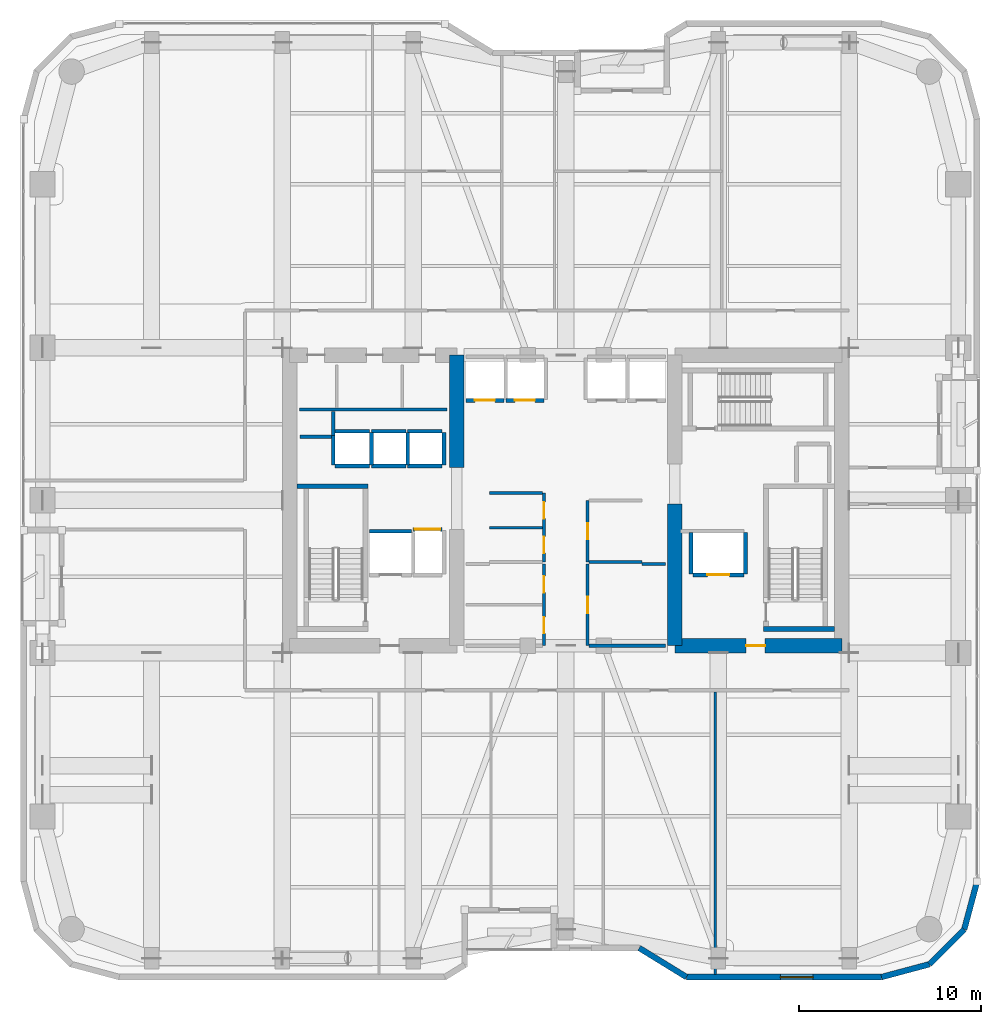
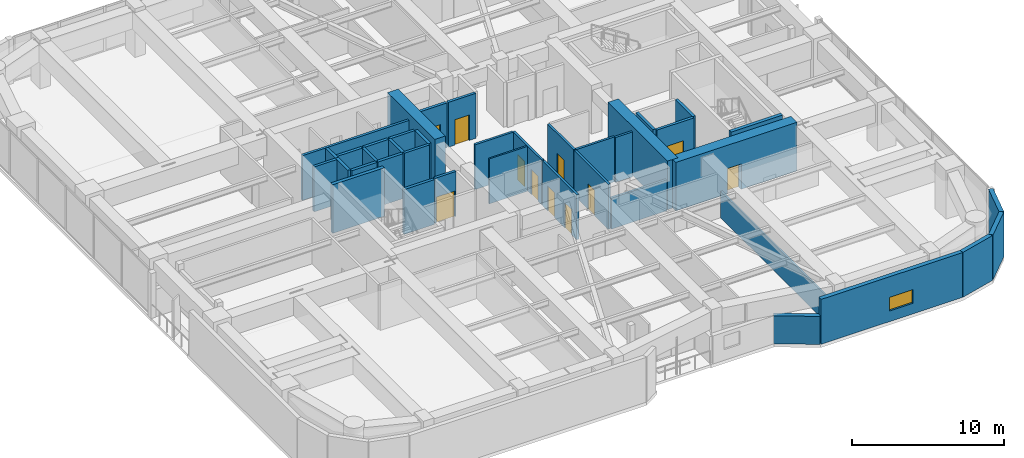
# One storey, part 20 of 25: 40 walls, 11 doors, 1 window, 12 openings.
"""IFC4 building model written with IfcOpenShell, lengths in metres."""

import ifcopenshell
import ifcopenshell.guid

model = None  # the IFC model being written
_history = None  # IfcOwnerHistory: only IFC2X3 demands one
_inside = {}  # id of a spatial element -> (the spatial element, [elements in it])
_under = {}  # id of a project, library or spatial element -> (it, [spatial elements below it])
_declared = {}  # id of a project -> (the project, [libraries it declares])
_typed = {}  # id of a type object -> (the type object, [elements of that type])
_made_of = {}  # id of a material, layer set ... -> (it, [elements and type objects made of it])


def new_model(schema):
    """Start an empty IFC model of exactly this schema.

    Asked for "IFC4X3", IfcOpenShell would pick the latest addendum, in which some entities
    have other attributes; the version numbers below select the first issue.
    IFC2X3 requires an IfcOwnerHistory on every rooted entity: one is made here for all.
    """
    global model, _history
    if schema == "IFC4X3":
        model = ifcopenshell.file(schema_version=(4, 3, 0, 0))
    else:
        model = ifcopenshell.file(schema=schema)
    _inside.clear()
    _under.clear()
    _declared.clear()
    _typed.clear()
    _made_of.clear()
    _history = None
    if model.schema == "IFC2X3":
        org = make("IfcOrganization", Name="unknown")
        user = make(
            "IfcPersonAndOrganization",
            ThePerson=make("IfcPerson", FamilyName="unknown"),
            TheOrganization=org,
        )
        app = make(
            "IfcApplication",
            ApplicationDeveloper=org,
            Version="unknown",
            ApplicationFullName="unknown",
            ApplicationIdentifier="unknown",
        )
        _history = make(
            "IfcOwnerHistory",
            OwningUser=user,
            OwningApplication=app,
            ChangeAction="ADDED",
            CreationDate=0,
        )
    return model


def make(cls, **values):
    """One entity of the class cls with the attributes given. An attribute that is None is left unset."""
    return model.create_entity(
        cls, **{name: value for name, value in values.items() if value is not None}
    )


def rooted(cls, **values):
    """An entity with a GlobalId (a new one), such as an element, a storey or a relation."""
    return make(cls, GlobalId=ifcopenshell.guid.new(), OwnerHistory=_history, **values)


def si_unit(unit_type, name, prefix=None):
    """IfcSIUnit, for example si_unit("LENGTHUNIT", "METRE", prefix="MILLI")."""
    return make("IfcSIUnit", UnitType=unit_type, Prefix=prefix, Name=name)


def assignment(units):
    """IfcUnitAssignment: the units of a project."""
    return None if units is None else make("IfcUnitAssignment", Units=units)


def point(xyz):
    """IfcCartesianPoint."""
    return None if xyz is None else make("IfcCartesianPoint", Coordinates=xyz)


def direction(xyz):
    """IfcDirection."""
    return None if xyz is None else make("IfcDirection", DirectionRatios=xyz)


def frame(location, z_axis=None, x_axis=None):
    """IfcAxis2Placement3D, a coordinate frame: its origin and axes. An axis left out is left unset."""
    return make(
        "IfcAxis2Placement3D",
        Location=point(location),
        Axis=direction(z_axis),
        RefDirection=direction(x_axis),
    )


def frame_2d(location, x_axis=None):
    """IfcAxis2Placement2D, a coordinate frame in the plane: its origin and x axis."""
    return make(
        "IfcAxis2Placement2D", Location=point(location), RefDirection=direction(x_axis)
    )


def origin():
    """The frame at (0, 0, 0) with its axes left unset."""
    return frame((0.0, 0.0, 0.0))


def place(relative_to, where):
    """IfcLocalPlacement: puts the frame where relative to a parent placement (None: the world)."""
    return make(
        "IfcLocalPlacement", PlacementRelTo=relative_to, RelativePlacement=where
    )


def context(
    kind, dimensions, precision=None, world=None, true_north=None, identifier=None
):
    """IfcGeometricRepresentationContext, for example the 3D "Model" context."""
    return make(
        "IfcGeometricRepresentationContext",
        ContextIdentifier=identifier,
        ContextType=kind,
        CoordinateSpaceDimension=dimensions,
        Precision=precision,
        WorldCoordinateSystem=world,
        TrueNorth=true_north,
    )


def subcontext(parent, identifier, kind, view, scale=None):
    """IfcGeometricRepresentationSubContext, for example "Body" below "Model"."""
    return make(
        "IfcGeometricRepresentationSubContext",
        ContextIdentifier=identifier,
        ContextType=kind,
        ParentContext=parent,
        TargetScale=scale,
        TargetView=view,
    )


def project(units=None, contexts=None):
    """IfcProject with its units and contexts."""
    return rooted(
        "IfcProject",
        Name="project",
        RepresentationContexts=contexts,
        UnitsInContext=assignment(units),
    )


def spatial(cls, under=None, at=None, **own):
    """A site, building, storey or space (cls), placed at a placement, below another one or the project."""
    s = rooted(cls, ObjectPlacement=at, **own)
    if under is not None:
        _under.setdefault(under.id(), (under, []))[1].append(s)
    return s


def profile(cls, at=None, kind="AREA", **sizes):
    """A parametric profile (cls). Its sizes go by their IFC names, for example OverallWidth=200.0."""
    return make(cls, ProfileType=kind, Position=at, **sizes)


def rectangle(**sizes):
    """IfcRectangleProfileDef."""
    return profile("IfcRectangleProfileDef", **sizes)


def extrude(swept, where, along, depth):
    """IfcExtrudedAreaSolid: the profile swept, set in the frame where, extruded along a direction by depth."""
    return make(
        "IfcExtrudedAreaSolid",
        SweptArea=swept,
        Position=where,
        ExtrudedDirection=direction(along),
        Depth=depth,
    )


def shape(context_of_items, identifier, shape_type, items):
    """IfcShapeRepresentation: the items that make up one representation, for example the "Body"."""
    return make(
        "IfcShapeRepresentation",
        ContextOfItems=context_of_items,
        RepresentationIdentifier=identifier,
        RepresentationType=shape_type,
        Items=items,
    )


def material(Name=None, Category=None):
    """IfcMaterial."""
    return make("IfcMaterial", Name=Name, Category=Category)


def layer(
    of_material, thickness, ventilated=None, Name=None, Category=None, Priority=None
):
    """IfcMaterialLayer: one layer of a wall or slab, of a material (None: an air gap)."""
    return make(
        "IfcMaterialLayer",
        Material=of_material,
        LayerThickness=thickness,
        IsVentilated=ventilated,
        Name=Name,
        Category=Category,
        Priority=Priority,
    )


def layer_set(layers, Name=None):
    """IfcMaterialLayerSet."""
    return make("IfcMaterialLayerSet", MaterialLayers=layers, LayerSetName=Name)


def made_of(thing, what):
    """Note that an element or type object is made of a material, layer set ...; save() writes the relation."""
    if what is not None:
        _made_of.setdefault(what.id(), (what, []))[1].append(thing)
    return thing


def type_object(cls, material=None, **own):
    """A type object (cls), such as IfcWallType, which elements share."""
    return made_of(rooted(cls, **own), material)


def element(
    cls,
    number,
    at=None,
    inside=None,
    cuts=None,
    type_object=None,
    material=None,
    context=None,
    identifier="Body",
    shape_type=None,
    held_by="IfcProductDefinitionShape",
    body=None,
    shapes=None,
    **own,
):
    """One element of the class cls, such as IfcWall. Its Tag is "e" and its number.

    at: its placement. inside: the storey or other place that contains it. cuts: it is an
    opening in that element (IfcRelVoidsElement). A single representation is given by context,
    identifier, shape_type and body (its items); several are given by shapes. held_by: the class
    of the entity that holds the representations. save() writes the other relations.
    """
    e = rooted(cls, Tag="e%d" % number, ObjectPlacement=at, **own)
    if body is not None:
        shapes = [shape(context, identifier, shape_type, body)]
    if shapes is not None:
        e.Representation = make(held_by, Representations=shapes)
    if inside is not None:
        _inside.setdefault(inside.id(), (inside, []))[1].append(e)
    if cuts is not None:
        rooted(
            "IfcRelVoidsElement", RelatingBuildingElement=cuts, RelatedOpeningElement=e
        )
    if type_object is not None:
        _typed.setdefault(type_object.id(), (type_object, []))[1].append(e)
    return made_of(e, material)


def fill(opening, filler):
    """IfcRelFillsElement: the door or window that sits in an opening."""
    return rooted(
        "IfcRelFillsElement",
        RelatingOpeningElement=opening,
        RelatedBuildingElement=filler,
    )


def aggregate(whole, parts):
    """IfcRelAggregates: a whole, such as a stair, and the parts it consists of."""
    return rooted("IfcRelAggregates", RelatingObject=whole, RelatedObjects=parts)


def save(model, path):
    """Write the relations noted so far, then the file.

    IfcRelAggregates (storeys below a building ...), IfcRelContainedInSpatialStructure (elements
    in a storey), IfcRelDefinesByType, IfcRelAssociatesMaterial and IfcRelDeclares: one each for
    every whole, place, type object, material and project.
    """
    for whole, parts in _under.values():
        aggregate(whole, parts)
    for where, things in _inside.values():
        rooted(
            "IfcRelContainedInSpatialStructure",
            RelatedElements=things,
            RelatingStructure=where,
        )
    for kind, things in _typed.values():
        rooted("IfcRelDefinesByType", RelatedObjects=things, RelatingType=kind)
    for what, things in _made_of.values():
        rooted("IfcRelAssociatesMaterial", RelatedObjects=things, RelatingMaterial=what)
    for by, libraries in _declared.values():
        rooted("IfcRelDeclares", RelatingContext=by, RelatedDefinitions=libraries)
    model.write(path)


model = new_model("IFC4")

# Units and contexts
model_context = context("Model", 3, precision=1e-05, world=origin(), true_north=direction((0.0, 1.0)))
body_context = subcontext(model_context, "Body", "Model", "MODEL_VIEW")
ifc_project = project(units=[si_unit("LENGTHUNIT", "METRE"), si_unit("AREAUNIT", "SQUARE_METRE"), si_unit("VOLUMEUNIT", "CUBIC_METRE"), si_unit("PLANEANGLEUNIT", "RADIAN"), si_unit("MASSUNIT", "GRAM", prefix="KILO")], contexts=[model_context])

# Site, building, storey
site_placement = place(None, origin())
site = spatial("IfcSite", under=ifc_project, at=site_placement, CompositionType="ELEMENT")
building_placement = place(site_placement, origin())
building = spatial("IfcBuilding", under=site, at=building_placement, Name="Kiyonajd Concourse Tower", CompositionType="ELEMENT")
storey_placement = place(building_placement, frame((0.0, 0.0, 141.60009765625)))
storey = spatial("IfcBuildingStorey", under=building, at=storey_placement, Name="L36", CompositionType="ELEMENT", Elevation=141.60009765625)

# Walls
ifc_material_1 = material(Name="Concrete C70/85", Category="concrete")
ifc_layer_1 = layer(ifc_material_1, 0.800048828125)
ifc_layer_set_1 = layer_set([ifc_layer_1], Name="Concrete C70/85")
wall_type_1 = type_object("IfcWallType", Name="WL-CORE-800", PredefinedType="SHEAR", material=ifc_layer_set_1)
wall_1_placement = place(storey_placement, frame((42.0, 37.800048828125, 0.0), z_axis=(0.0, 0.0, 1.0), x_axis=(0.0, 1.0, 0.0)))
element("IfcWall", 1, at=wall_1_placement, inside=storey, type_object=wall_type_1, Name="L36 West Core Inner North Shear Wall", PredefinedType="SHEAR", context=body_context, shape_type="SweptSolid", body=[
    extrude(rectangle(XDim=6.199951171875, YDim=0.800048828125, at=frame_2d((3.10009765625, 0.0))), origin(), (0.0, 0.0, 1.0), 3.89990234375),
])
wall_2_placement = place(storey_placement, frame((54.0, 28.0, 0.0), z_axis=(0.0, 0.0, 1.0), x_axis=(0.0, 1.0, 0.0)))
element("IfcWall", 2, at=wall_2_placement, inside=storey, type_object=wall_type_1, Name="L36 East Core Inner South Shear Wall", PredefinedType="SHEAR", context=body_context, shape_type="SweptSolid", body=[
    extrude(rectangle(XDim=7.800048828125, YDim=0.800048828125, at=frame_2d((3.89990234375, 0.0))), origin(), (0.0, 0.0, 1.0), 3.89990234375),
])

# Wall, opening, door
wall_3_placement = place(storey_placement, frame((54.0, 28.0, 0.0), z_axis=(0.0, 0.0, 1.0), x_axis=(1.0, 0.0, 0.0)))
wall_3 = element("IfcWall", 3, at=wall_3_placement, inside=storey, type_object=wall_type_1, Name="L36 East Core South Shear Wall", PredefinedType="SHEAR", context=body_context, shape_type="SweptSolid", body=[
    extrude(rectangle(XDim=9.199951171875, YDim=0.800048828125, at=frame_2d((4.60009765625, 0.0))), origin(), (0.0, 0.0, 1.0), 3.89990234375),
])
opening_1_placement = place(wall_3_placement, frame((3.925048828125, 0.0, 0.0)))
opening_1 = element("IfcOpeningElement", 4, at=opening_1_placement, cuts=wall_3, Name="Opening DF5", PredefinedType="OPENING", context=body_context, shape_type="SweptSolid", body=[
    extrude(rectangle(XDim=1.050048828125, YDim=2.0400390625, at=frame_2d((0.52490234375, 1.02001953125))), frame((0.0, 0.409912109375, 0.0), z_axis=(0.0, -1.0, 0.0), x_axis=(1.0, 0.0, 0.0)), (0.0, 0.0, 1.0), 0.820068359375),
])
ifc_material_2 = material(Name="Brushed Stainless Steel Cab Assembly", Category="steel")
door_type_1 = type_object("IfcDoorType", Name="DR-FD45-1050", OperationType="NOTDEFINED", PredefinedType="DOOR", material=ifc_material_2)
door_1_placement = place(opening_1_placement, origin())
door_1 = element("IfcDoor", 5, at=door_1_placement, inside=storey, type_object=door_type_1, Name="L36 Firefighting Lift Lobby E Smoke Door", OperationType="SINGLE_SWING_RIGHT", OverallHeight=2.0400390625, OverallWidth=1.050048828125, PredefinedType="DOOR", context=body_context, shape_type="SweptSolid", body=[
    extrude(rectangle(XDim=1.050048828125, YDim=2.0400390625, at=frame_2d((0.52490234375, 1.02001953125))), frame((0.0, 0.02490234375, 0.0), z_axis=(0.0, -1.0, 0.0), x_axis=(1.0, 0.0, 0.0)), (0.0, 0.0, 1.0), 0.050048828125),
])
fill(opening_1, door_1)

# Walls
ifc_material_3 = material(Name="Precast concrete C50/60", Category="concrete")
ifc_layer_2 = layer(ifc_material_3, 0.320068359375)
ifc_layer_set_2 = layer_set([ifc_layer_2], Name="Precast concrete C50/60")
wall_type_2 = type_object("IfcWallType", Name="WL-EXT-320", PredefinedType="SOLIDWALL", material=ifc_layer_set_2)
wall_4_placement = place(storey_placement, frame((70.639892578125, 15.02099609375, 0.0), z_axis=(0.0, 0.0, 1.0), x_axis=(-0.258613949072, -0.965980758269, 0.0)))
element("IfcWall", 6, at=wall_4_placement, inside=storey, type_object=wall_type_2, Name="L36 Exterior Concrete Frame Wall 25", PredefinedType="SOLIDWALL", context=body_context, shape_type="SweptSolid", body=[
    extrude(rectangle(XDim=2.731201171875, YDim=0.320068359375, at=frame_2d((1.36572265625, 0.0))), origin(), (0.0, 0.0, 1.0), 3.599853515625),
])
wall_5_placement = place(storey_placement, frame((69.93359375, 12.3828125, 0.0), z_axis=(0.0, 0.0, 1.0), x_axis=(-0.707151821269, -0.707061738235, 0.0)))
element("IfcWall", 7, at=wall_5_placement, inside=storey, type_object=wall_type_2, Name="L36 Exterior Concrete Frame Wall 26", PredefinedType="SOLIDWALL", context=body_context, shape_type="SweptSolid", body=[
    extrude(rectangle(XDim=2.710205078125, YDim=0.320068359375, at=frame_2d((1.35498046875, 0.0))), origin(), (0.0, 0.0, 1.0), 3.599853515625),
])
wall_6_placement = place(storey_placement, frame((68.01708984375, 10.466552734375, 0.0), z_axis=(0.0, 0.0, 1.0), x_axis=(-0.965958423373, -0.25869736047, 0.0)))
element("IfcWall", 8, at=wall_6_placement, inside=storey, type_object=wall_type_2, Name="L36 Exterior Concrete Frame Wall 27", PredefinedType="SOLIDWALL", context=body_context, shape_type="SweptSolid", body=[
    extrude(rectangle(XDim=2.731201171875, YDim=0.320068359375, at=frame_2d((1.36572265625, 0.0))), origin(), (0.0, 0.0, 1.0), 3.599853515625),
])

# Wall, opening, window
wall_7_placement = place(storey_placement, frame((65.37890625, 9.760009765625, 0.0), z_axis=(0.0, 0.0, 1.0), x_axis=(-1.0, 0.0, 0.0)))
wall_7 = element("IfcWall", 9, at=wall_7_placement, inside=storey, type_object=wall_type_2, Name="L36 Exterior Concrete Frame Wall 28", PredefinedType="SOLIDWALL", context=body_context, shape_type="SweptSolid", body=[
    extrude(rectangle(XDim=10.733642578125, YDim=0.320068359375, at=frame_2d((5.36669921875, 0.0))), origin(), (0.0, 0.0, 1.0), 3.599853515625),
])
opening_2_placement = place(wall_7_placement, frame((3.76904296875, 0.0, 0.85009765625)))
opening_2 = element("IfcOpeningElement", 10, at=opening_2_placement, cuts=wall_7, Name="Opening WN1", PredefinedType="OPENING", context=body_context, shape_type="SweptSolid", body=[
    extrude(rectangle(XDim=1.800048828125, YDim=1.10009765625, at=frame_2d((0.89990234375, 0.550048828125))), frame((0.0, 0.169921875, 0.0), z_axis=(0.0, -1.0, 0.0), x_axis=(1.0, 0.0, 0.0)), (0.0, 0.0, 1.0), 0.340087890625),
])
ifc_material_4 = material(Name="Double Low-E Insulated Glass", Category="glass")
window_type = type_object("IfcWindowType", Name="WN-VIS-1800x1100", PartitioningType="SINGLE_PANEL", PredefinedType="WINDOW", material=ifc_material_4)
window_placement = place(opening_2_placement, origin())
window = element("IfcWindow", 11, at=window_placement, inside=storey, type_object=window_type, Name="L36 Modular Facade Vision Window 28", OverallHeight=1.10009765625, OverallWidth=1.800048828125, PartitioningType="SINGLE_PANEL", PredefinedType="WINDOW", context=body_context, shape_type="SweptSolid", body=[
    extrude(rectangle(XDim=1.800048828125, YDim=1.10009765625, at=frame_2d((0.89990234375, 0.550048828125))), frame((0.0, 0.030029296875, 0.0), z_axis=(0.0, -1.0, 0.0), x_axis=(1.0, 0.0, 0.0)), (0.0, 0.0, 1.0), 0.06005859375),
])
fill(opening_2, window)

# Walls
wall_8_placement = place(storey_placement, frame((54.645263671875, 9.760009765625, 0.0), z_axis=(0.0, 0.0, 1.0), x_axis=(-0.851630857047, 0.524142044989, 0.0)))
element("IfcWall", 12, at=wall_8_placement, inside=storey, type_object=wall_type_2, Name="L36 Exterior Concrete Frame Wall 29", PredefinedType="SOLIDWALL", context=body_context, shape_type="SweptSolid", body=[
    extrude(rectangle(XDim=3.052734375, YDim=0.320068359375, at=frame_2d((1.5263671875, 0.0))), origin(), (0.0, 0.0, 1.0), 2.244873046875),
])
ifc_material_5 = material(Name="Gypsum Board on Cold-Formed Steel Stud", Category="steel")
ifc_layer_3 = layer(ifc_material_5, 0.125)
ifc_layer_set_3 = layer_set([ifc_layer_3], Name="Gypsum Board on Cold-Formed Steel Stud")
wall_type_3 = type_object("IfcWallType", Name="WL-PART-125", PredefinedType="PARTITIONING", material=ifc_layer_set_3)
wall_9_placement = place(storey_placement, frame((43.800048828125, 34.5, 0.0), z_axis=(0.0, 0.0, 1.0), x_axis=(1.0, 0.0, 0.0)))
element("IfcWall", 13, at=wall_9_placement, inside=storey, type_object=wall_type_3, Name="L36 Interior Partition Wall", PredefinedType="PARTITIONING", context=body_context, shape_type="SweptSolid", body=[
    extrude(rectangle(XDim=2.912841796875, YDim=0.125, at=frame_2d((1.45654296875, 0.0))), origin(), (0.0, 0.0, 1.0), 3.599853515625),
])
wall_10_placement = place(storey_placement, frame((56.22998046875, 9.9150390625, 0.0), z_axis=(0.0, 0.0, 1.0), x_axis=(0.0, 1.0, 0.0)))
element("IfcWall", 14, at=wall_10_placement, inside=storey, type_object=wall_type_3, Name="L36 Interior Partition Wall", PredefinedType="PARTITIONING", context=body_context, shape_type="SweptSolid", body=[
    extrude(rectangle(XDim=15.5478515625, YDim=0.125, at=frame_2d((7.77392578125, 0.0))), origin(), (0.0, 0.0, 1.0), 2.135009765625),
])
ifc_layer_4 = layer(ifc_material_5, 0.18994140625)
ifc_layer_set_4 = layer_set([ifc_layer_4], Name="Gypsum Board on Cold-Formed Steel Stud")
wall_type_4 = type_object("IfcWallType", Name="WL-PLMB-190", PredefinedType="PLUMBINGWALL", material=ifc_layer_set_4)
wall_11_placement = place(storey_placement, frame((33.35009765625, 41.0, 0.0), z_axis=(0.0, 0.0, 1.0), x_axis=(1.0, 0.0, 0.0)))
element("IfcWall", 15, at=wall_11_placement, inside=storey, type_object=wall_type_4, Name="L36 Interior Partition Wall", PredefinedType="PLUMBINGWALL", context=body_context, shape_type="SweptSolid", body=[
    extrude(rectangle(XDim=8.099853515625, YDim=0.18994140625, at=frame_2d((4.0498046875, 0.0))), origin(), (0.0, 0.0, 1.0), 3.599853515625),
])
ifc_layer_5 = layer(ifc_material_5, 0.2099609375)
ifc_layer_set_5 = layer_set([ifc_layer_5], Name="Gypsum Board on Cold-Formed Steel Stud")
wall_type_5 = type_object("IfcWallType", Name="WL-SHAFT-210", PredefinedType="PARTITIONING", material=ifc_layer_set_5)
wall_12_placement = place(storey_placement, frame((33.360107421875, 39.5, 0.0), z_axis=(0.0, 0.0, 1.0), x_axis=(1.0, 0.0, 0.0)))
element("IfcWall", 16, at=wall_12_placement, inside=storey, type_object=wall_type_5, Name="L36 Shaft Enclosure Wall", PredefinedType="PARTITIONING", context=body_context, shape_type="SweptSolid", body=[
    extrude(rectangle(XDim=1.85986328125, YDim=0.2099609375, at=frame_2d((0.929931640625, 0.0))), origin(), (0.0, 0.0, 1.0), 3.599853515625),
])
wall_13_placement = place(storey_placement, frame((35.199951171875, 39.580078125, 0.0), z_axis=(0.0, 0.0, 1.0), x_axis=(0.0, 1.0, 0.0)))
element("IfcWall", 17, at=wall_13_placement, inside=storey, type_object=wall_type_5, Name="L36 Shaft Enclosure Wall", PredefinedType="PARTITIONING", context=body_context, shape_type="SweptSolid", body=[
    extrude(rectangle(XDim=1.31982421875, YDim=0.2099609375, at=frame_2d((0.659912109375, 0.0))), origin(), (0.0, 0.0, 1.0), 3.599853515625),
])
wall_14_placement = place(storey_placement, frame((37.199951171875, 34.300048828125, 0.0), z_axis=(0.0, 0.0, 1.0), x_axis=(1.0, 0.0, 0.0)))
element("IfcWall", 18, at=wall_14_placement, inside=storey, type_object=wall_type_5, Name="L36 Shaft Enclosure Wall", PredefinedType="PARTITIONING", context=body_context, shape_type="SweptSolid", body=[
    extrude(rectangle(XDim=2.300048828125, YDim=0.2099609375, at=frame_2d((1.14990234375, 0.0))), origin(), (0.0, 0.0, 1.0), 3.599853515625),
])

# Wall, opening, door
wall_15_placement = place(storey_placement, frame((55.0, 31.89990234375, 0.0), z_axis=(0.0, 0.0, 1.0), x_axis=(1.0, 0.0, 0.0)))
wall_15 = element("IfcWall", 19, at=wall_15_placement, inside=storey, type_object=wall_type_5, Name="L36 Shaft Enclosure Wall", PredefinedType="PARTITIONING", context=body_context, shape_type="SweptSolid", body=[
    extrude(rectangle(XDim=2.800048828125, YDim=0.2099609375, at=frame_2d((1.39990234375, 0.0))), origin(), (0.0, 0.0, 1.0), 3.599853515625),
])
opening_3_placement = place(wall_15_placement, frame((0.800048828125, 0.0, 0.0)))
opening_3 = element("IfcOpeningElement", 20, at=opening_3_placement, cuts=wall_15, Name="Opening LD2", PredefinedType="OPENING", context=body_context, shape_type="SweptSolid", body=[
    extrude(rectangle(XDim=1.199951171875, YDim=2.0400390625, at=frame_2d((0.60009765625, 1.02001953125))), frame((0.0, 0.114990234375, 0.0), z_axis=(0.0, -1.0, 0.0), x_axis=(1.0, 0.0, 0.0)), (0.0, 0.0, 1.0), 0.22998046875),
])
door_type_2 = type_object("IfcDoorType", Name="DR-LD-1200", OperationType="DOUBLE_DOOR_SLIDING", PredefinedType="DOOR", material=ifc_material_2)
door_2_placement = place(opening_3_placement, origin())
door_2 = element("IfcDoor", 21, at=door_2_placement, inside=storey, type_object=door_type_2, Name="L36 Lift FFL2 Sliding Landing Door", OperationType="DOUBLE_DOOR_SLIDING", OverallHeight=2.0400390625, OverallWidth=1.199951171875, PredefinedType="DOOR", context=body_context, shape_type="SweptSolid", body=[
    extrude(rectangle(XDim=1.199951171875, YDim=2.0400390625, at=frame_2d((0.60009765625, 1.02001953125))), frame((0.0, 0.02490234375, 0.0), z_axis=(0.0, -1.0, 0.0), x_axis=(1.0, 0.0, 0.0)), (0.0, 0.0, 1.0), 0.050048828125),
])
fill(opening_3, door_2)

# Walls
for number, where, z_axis, x_axis, name in (
    (22, (54.89990234375, 31.9599609375, 0.0), (0.0, 0.0, 1.0), (0.0, 1.0, 0.0), "L36 Shaft Enclosure Wall"),
    (23, (57.89990234375, 31.9599609375, 0.0), (0.0, 0.0, 1.0), (0.0, 1.0, 0.0), "L36 Shaft Enclosure Wall"),
):
    element("IfcWall", number, at=place(storey_placement, frame(where, z_axis=z_axis, x_axis=x_axis)), inside=storey, type_object=wall_type_5, Name=name, PredefinedType="PARTITIONING", context=body_context, shape_type="SweptSolid", body=[
        extrude(rectangle(XDim=2.280029296875, YDim=0.2099609375, at=frame_2d((1.14013671875, 0.0))), origin(), (0.0, 0.0, 1.0), 3.599853515625),
    ])

# Wall, opening, door
wall_16_placement = place(storey_placement, frame((39.60009765625, 34.39990234375, 0.0), z_axis=(0.0, 0.0, 1.0), x_axis=(1.0, 0.0, 0.0)))
wall_16 = element("IfcWall", 24, at=wall_16_placement, inside=storey, type_object=wall_type_5, Name="L36 Shaft Enclosure Wall", PredefinedType="PARTITIONING", context=body_context, shape_type="SweptSolid", body=[
    extrude(rectangle(XDim=1.599853515625, YDim=0.2099609375, at=frame_2d((0.7998046875, 0.0))), origin(), (0.0, 0.0, 1.0), 3.599853515625),
])
opening_4_placement = place(wall_16_placement, frame((0.10009765625, 0.0, 0.0)))
opening_4 = element("IfcOpeningElement", 25, at=opening_4_placement, cuts=wall_16, Name="Opening LD3", PredefinedType="OPENING", context=body_context, shape_type="SweptSolid", body=[
    extrude(rectangle(XDim=1.39990234375, YDim=2.06005859375, at=frame_2d((0.699951171875, 1.030029296875))), frame((0.0, 0.114990234375, 0.0), z_axis=(0.0, -1.0, 0.0), x_axis=(1.0, 0.0, 0.0)), (0.0, 0.0, 1.0), 0.22998046875),
])
door_type_3 = type_object("IfcDoorType", Name="DR-LD-1400", OperationType="DOUBLE_DOOR_SLIDING", PredefinedType="DOOR", material=ifc_material_2)
door_3_placement = place(opening_4_placement, origin())
door_3 = element("IfcDoor", 26, at=door_3_placement, inside=storey, type_object=door_type_3, Name="L36 Lift SVL1 Sliding Landing Door", OperationType="DOUBLE_DOOR_SLIDING", OverallHeight=2.06005859375, OverallWidth=1.39990234375, PredefinedType="DOOR", context=body_context, shape_type="SweptSolid", body=[
    extrude(rectangle(XDim=1.39990234375, YDim=2.06005859375, at=frame_2d((0.699951171875, 1.030029296875))), frame((0.0, 0.02490234375, 0.0), z_axis=(0.0, -1.0, 0.0), x_axis=(1.0, 0.0, 0.0)), (0.0, 0.0, 1.0), 0.050048828125),
])
fill(opening_4, door_3)

wall_17_placement = place(storey_placement, frame((42.5, 41.5, 0.0), z_axis=(0.0, 0.0, 1.0), x_axis=(1.0, 0.0, 0.0)))
wall_17 = element("IfcWall", 27, at=wall_17_placement, inside=storey, type_object=wall_type_5, Name="L36 Shaft Enclosure Wall", PredefinedType="PARTITIONING", context=body_context, shape_type="SweptSolid", body=[
    extrude(rectangle(XDim=2.10009765625, YDim=0.2099609375, at=frame_2d((1.050048828125, 0.0))), origin(), (0.0, 0.0, 1.0), 3.599853515625),
])
opening_5_placement = place(wall_17_placement, frame((0.5, 0.0, 0.0)))
opening_5 = element("IfcOpeningElement", 28, at=opening_5_placement, cuts=wall_17, Name="Opening LD1", PredefinedType="OPENING", context=body_context, shape_type="SweptSolid", body=[
    extrude(rectangle(XDim=1.10009765625, YDim=2.0400390625, at=frame_2d((0.550048828125, 1.02001953125))), frame((0.0, 0.114990234375, 0.0), z_axis=(0.0, -1.0, 0.0), x_axis=(1.0, 0.0, 0.0)), (0.0, 0.0, 1.0), 0.22998046875),
])
door_type_4 = type_object("IfcDoorType", Name="DR-LD-1100", OperationType="DOUBLE_DOOR_SLIDING", PredefinedType="DOOR", material=ifc_material_2)
door_4_placement = place(opening_5_placement, origin())
door_4 = element("IfcDoor", 29, at=door_4_placement, inside=storey, type_object=door_type_4, Name="L36 Lift PL-M1 Sliding Landing Door", OperationType="DOUBLE_DOOR_SLIDING", OverallHeight=2.0400390625, OverallWidth=1.10009765625, PredefinedType="DOOR", context=body_context, shape_type="SweptSolid", body=[
    extrude(rectangle(XDim=1.10009765625, YDim=2.0400390625, at=frame_2d((0.550048828125, 1.02001953125))), frame((0.0, 0.02490234375, 0.0), z_axis=(0.0, -1.0, 0.0), x_axis=(1.0, 0.0, 0.0)), (0.0, 0.0, 1.0), 0.050048828125),
])
fill(opening_5, door_4)

wall_18_placement = place(storey_placement, frame((44.699951171875, 41.5, 0.0), z_axis=(0.0, 0.0, 1.0), x_axis=(1.0, 0.0, 0.0)))
wall_18 = element("IfcWall", 30, at=wall_18_placement, inside=storey, type_object=wall_type_5, Name="L36 Shaft Enclosure Wall", PredefinedType="PARTITIONING", context=body_context, shape_type="SweptSolid", body=[
    extrude(rectangle(XDim=2.10009765625, YDim=0.2099609375, at=frame_2d((1.050048828125, 0.0))), origin(), (0.0, 0.0, 1.0), 3.599853515625),
])
opening_6_placement = place(wall_18_placement, frame((0.5, 0.0, 0.0)))
opening_6 = element("IfcOpeningElement", 31, at=opening_6_placement, cuts=wall_18, Name="Opening LD1", PredefinedType="OPENING", context=body_context, shape_type="SweptSolid", body=[
    extrude(rectangle(XDim=1.10009765625, YDim=2.0400390625, at=frame_2d((0.550048828125, 1.02001953125))), frame((0.0, 0.114990234375, 0.0), z_axis=(0.0, -1.0, 0.0), x_axis=(1.0, 0.0, 0.0)), (0.0, 0.0, 1.0), 0.22998046875),
])
door_5_placement = place(opening_6_placement, origin())
door_5 = element("IfcDoor", 32, at=door_5_placement, inside=storey, type_object=door_type_4, Name="L36 Lift PL-M2 Sliding Landing Door", OperationType="DOUBLE_DOOR_SLIDING", OverallHeight=2.0400390625, OverallWidth=1.10009765625, PredefinedType="DOOR", context=body_context, shape_type="SweptSolid", body=[
    extrude(rectangle(XDim=1.10009765625, YDim=2.0400390625, at=frame_2d((0.550048828125, 1.02001953125))), frame((0.0, 0.02490234375, 0.0), z_axis=(0.0, -1.0, 0.0), x_axis=(1.0, 0.0, 0.0)), (0.0, 0.0, 1.0), 0.050048828125),
])
fill(opening_6, door_5)

# Walls
for number, where, z_axis, x_axis, name in (
    (33, (35.300048828125, 37.89990234375, 0.0), (0.0, 0.0, 1.0), (1.0, 0.0, 0.0), "L36 Shaft Enclosure Wall"),
    (34, (35.300048828125, 39.800048828125, 0.0), (0.0, 0.0, 1.0), (1.0, 0.0, 0.0), "L36 Shaft Enclosure Wall"),
):
    element("IfcWall", number, at=place(storey_placement, frame(where, z_axis=z_axis, x_axis=x_axis)), inside=storey, type_object=wall_type_5, Name=name, PredefinedType="PARTITIONING", context=body_context, shape_type="SweptSolid", body=[
        extrude(rectangle(XDim=1.89990234375, YDim=0.2099609375, at=frame_2d((0.949951171875, 0.0))), origin(), (0.0, 0.0, 1.0), 3.599853515625),
    ])
wall_19_placement = place(storey_placement, frame((35.199951171875, 37.9599609375, 0.0), z_axis=(0.0, 0.0, 1.0), x_axis=(0.0, 1.0, 0.0)))
element("IfcWall", 35, at=wall_19_placement, inside=storey, type_object=wall_type_5, Name="L36 Shaft Enclosure Wall", PredefinedType="PARTITIONING", context=body_context, shape_type="SweptSolid", body=[
    extrude(rectangle(XDim=1.6201171875, YDim=0.2099609375, at=frame_2d((0.81005859375, 0.0))), origin(), (0.0, 0.0, 1.0), 3.599853515625),
])
wall_20_placement = place(storey_placement, frame((37.300048828125, 37.9599609375, 0.0), z_axis=(0.0, 0.0, 1.0), x_axis=(0.0, 1.0, 0.0)))
element("IfcWall", 36, at=wall_20_placement, inside=storey, type_object=wall_type_5, Name="L36 Shaft Enclosure Wall", PredefinedType="PARTITIONING", context=body_context, shape_type="SweptSolid", body=[
    extrude(rectangle(XDim=1.780029296875, YDim=0.2099609375, at=frame_2d((0.89013671875, 0.0))), origin(), (0.0, 0.0, 1.0), 3.599853515625),
])
for number, where, z_axis, x_axis, name in (
    (37, (37.300048828125, 37.89990234375, 0.0), (0.0, 0.0, 1.0), (1.0, 0.0, 0.0), "L36 Shaft Enclosure Wall"),
    (38, (37.300048828125, 39.800048828125, 0.0), (0.0, 0.0, 1.0), (1.0, 0.0, 0.0), "L36 Shaft Enclosure Wall"),
):
    element("IfcWall", number, at=place(storey_placement, frame(where, z_axis=z_axis, x_axis=x_axis)), inside=storey, type_object=wall_type_5, Name=name, PredefinedType="PARTITIONING", context=body_context, shape_type="SweptSolid", body=[
        extrude(rectangle(XDim=1.89990234375, YDim=0.2099609375, at=frame_2d((0.949951171875, 0.0))), origin(), (0.0, 0.0, 1.0), 3.599853515625),
    ])
wall_21_placement = place(storey_placement, frame((39.300048828125, 37.9599609375, 0.0), z_axis=(0.0, 0.0, 1.0), x_axis=(0.0, 1.0, 0.0)))
element("IfcWall", 39, at=wall_21_placement, inside=storey, type_object=wall_type_5, Name="L36 Shaft Enclosure Wall", PredefinedType="PARTITIONING", context=body_context, shape_type="SweptSolid", body=[
    extrude(rectangle(XDim=1.780029296875, YDim=0.2099609375, at=frame_2d((0.89013671875, 0.0))), origin(), (0.0, 0.0, 1.0), 3.599853515625),
])
for number, where, z_axis, x_axis, name in (
    (40, (39.300048828125, 37.89990234375, 0.0), (0.0, 0.0, 1.0), (1.0, 0.0, 0.0), "L36 Shaft Enclosure Wall"),
    (41, (39.300048828125, 39.800048828125, 0.0), (0.0, 0.0, 1.0), (1.0, 0.0, 0.0), "L36 Shaft Enclosure Wall"),
):
    element("IfcWall", number, at=place(storey_placement, frame(where, z_axis=z_axis, x_axis=x_axis)), inside=storey, type_object=wall_type_5, Name=name, PredefinedType="PARTITIONING", context=body_context, shape_type="SweptSolid", body=[
        extrude(rectangle(XDim=1.89990234375, YDim=0.2099609375, at=frame_2d((0.949951171875, 0.0))), origin(), (0.0, 0.0, 1.0), 3.599853515625),
    ])
wall_22_placement = place(storey_placement, frame((41.300048828125, 37.9599609375, 0.0), z_axis=(0.0, 0.0, 1.0), x_axis=(0.0, 1.0, 0.0)))
element("IfcWall", 42, at=wall_22_placement, inside=storey, type_object=wall_type_5, Name="L36 Shaft Enclosure Wall", PredefinedType="PARTITIONING", context=body_context, shape_type="SweptSolid", body=[
    extrude(rectangle(XDim=1.780029296875, YDim=0.2099609375, at=frame_2d((0.89013671875, 0.0))), origin(), (0.0, 0.0, 1.0), 3.599853515625),
])

# Wall, openings, doors
ifc_layer_6 = layer(ifc_material_5, 0.169921875)
ifc_layer_set_6 = layer_set([ifc_layer_6], Name="Gypsum Board on Cold-Formed Steel Stud")
wall_type_6 = type_object("IfcWallType", Name="WL-SMK-170", PredefinedType="PARTITIONING", material=ifc_layer_set_6)
wall_23_placement = place(storey_placement, frame((46.800048828125, 32.60009765625, 0.0), z_axis=(0.0, 0.0, 1.0), x_axis=(0.0, 1.0, 0.0)))
wall_23 = element("IfcWall", 43, at=wall_23_placement, inside=storey, type_object=wall_type_6, Name="L36 Interior Partition Wall", PredefinedType="PARTITIONING", context=body_context, shape_type="SweptSolid", body=[
    extrude(rectangle(XDim=3.7998046875, YDim=0.169921875, at=frame_2d((1.89990234375, 0.0))), origin(), (0.0, 0.0, 1.0), 3.599853515625),
])
opening_7_placement = place(wall_23_placement, frame((0.5, 0.0, 0.0)))
opening_7 = element("IfcOpeningElement", 44, at=opening_7_placement, cuts=wall_23, Name="Opening DI2", PredefinedType="OPENING", context=body_context, shape_type="SweptSolid", body=[
    extrude(rectangle(XDim=0.89990234375, YDim=2.02001953125, at=frame_2d((0.449951171875, 1.010009765625))), frame((0.0, 0.094970703125, 0.0), z_axis=(0.0, -1.0, 0.0), x_axis=(1.0, 0.0, 0.0)), (0.0, 0.0, 1.0), 0.18994140625),
])
opening_8_placement = place(wall_23_placement, frame((2.39990234375, 0.0, 0.0)))
opening_8 = element("IfcOpeningElement", 45, at=opening_8_placement, cuts=wall_23, Name="Opening DI2", PredefinedType="OPENING", context=body_context, shape_type="SweptSolid", body=[
    extrude(rectangle(XDim=0.89990234375, YDim=2.02001953125, at=frame_2d((0.449951171875, 1.010009765625))), frame((0.0, 0.094970703125, 0.0), z_axis=(0.0, -1.0, 0.0), x_axis=(1.0, 0.0, 0.0)), (0.0, 0.0, 1.0), 0.18994140625),
])
ifc_material_6 = material(Name="Natural Oak Acoustic Timber Veneer", Category="wood")
door_type_5 = type_object("IfcDoorType", Name="DR-INT-900", OperationType="NOTDEFINED", PredefinedType="DOOR", material=ifc_material_6)
door_6_placement = place(opening_7_placement, origin())
door_6 = element("IfcDoor", 46, at=door_6_placement, inside=storey, type_object=door_type_5, Name="L36 Interior Door", OperationType="SINGLE_SWING_RIGHT", OverallHeight=2.02001953125, OverallWidth=0.89990234375, PredefinedType="DOOR", context=body_context, shape_type="SweptSolid", body=[
    extrude(rectangle(XDim=0.89990234375, YDim=2.02001953125, at=frame_2d((0.449951171875, 1.010009765625))), frame((0.0, 0.02490234375, 0.0), z_axis=(0.0, -1.0, 0.0), x_axis=(1.0, 0.0, 0.0)), (0.0, 0.0, 1.0), 0.050048828125),
])
fill(opening_7, door_6)
door_7_placement = place(opening_8_placement, origin())
door_7 = element("IfcDoor", 47, at=door_7_placement, inside=storey, type_object=door_type_5, Name="L36 Interior Door", OperationType="SINGLE_SWING_LEFT", OverallHeight=2.02001953125, OverallWidth=0.89990234375, PredefinedType="DOOR", context=body_context, shape_type="SweptSolid", body=[
    extrude(rectangle(XDim=0.89990234375, YDim=2.02001953125, at=frame_2d((0.449951171875, 1.010009765625))), frame((0.0, 0.02490234375, 0.0), z_axis=(0.0, -1.0, 0.0), x_axis=(1.0, 0.0, 0.0)), (0.0, 0.0, 1.0), 0.050048828125),
])
fill(opening_8, door_7)

# Wall
wall_24_placement = place(storey_placement, frame((43.800048828125, 36.39990234375, 0.0), z_axis=(0.0, 0.0, 1.0), x_axis=(1.0, 0.0, 0.0)))
element("IfcWall", 48, at=wall_24_placement, inside=storey, type_object=wall_type_6, Name="L36 Interior Partition Wall", PredefinedType="PARTITIONING", context=body_context, shape_type="SweptSolid", body=[
    extrude(rectangle(XDim=2.912841796875, YDim=0.169921875, at=frame_2d((1.45654296875, 0.0))), origin(), (0.0, 0.0, 1.0), 3.599853515625),
])

# Wall, opening, door
wall_25_placement = place(storey_placement, frame((49.199951171875, 32.60009765625, 0.0), z_axis=(0.0, 0.0, 1.0), x_axis=(0.0, 1.0, 0.0)))
wall_25 = element("IfcWall", 49, at=wall_25_placement, inside=storey, type_object=wall_type_6, Name="L36 Interior Partition Wall", PredefinedType="PARTITIONING", context=body_context, shape_type="SweptSolid", body=[
    extrude(rectangle(XDim=3.39990234375, YDim=0.169921875, at=frame_2d((1.699951171875, 0.0))), origin(), (0.0, 0.0, 1.0), 3.599853515625),
])
opening_9_placement = place(wall_25_placement, frame((1.25, 0.0, 0.0)))
opening_9 = element("IfcOpeningElement", 50, at=opening_9_placement, cuts=wall_25, Name="Opening DI2", PredefinedType="OPENING", context=body_context, shape_type="SweptSolid", body=[
    extrude(rectangle(XDim=0.89990234375, YDim=2.02001953125, at=frame_2d((0.449951171875, 1.010009765625))), frame((0.0, 0.094970703125, 0.0), z_axis=(0.0, -1.0, 0.0), x_axis=(1.0, 0.0, 0.0)), (0.0, 0.0, 1.0), 0.18994140625),
])
door_8_placement = place(opening_9_placement, origin())
door_8 = element("IfcDoor", 51, at=door_8_placement, inside=storey, type_object=door_type_5, Name="L36 Interior Door", OperationType="SINGLE_SWING_RIGHT", OverallHeight=2.02001953125, OverallWidth=0.89990234375, PredefinedType="DOOR", context=body_context, shape_type="SweptSolid", body=[
    extrude(rectangle(XDim=0.89990234375, YDim=2.02001953125, at=frame_2d((0.449951171875, 1.010009765625))), frame((0.0, 0.02490234375, 0.0), z_axis=(0.0, -1.0, 0.0), x_axis=(1.0, 0.0, 0.0)), (0.0, 0.0, 1.0), 0.050048828125),
])
fill(opening_9, door_8)

# Wall
wall_26_placement = place(storey_placement, frame((49.287109375, 32.60009765625, 0.0), z_axis=(0.0, 0.0, 1.0), x_axis=(1.0, 0.0, 0.0)))
element("IfcWall", 52, at=wall_26_placement, inside=storey, type_object=wall_type_6, Name="L36 Interior Partition Wall", PredefinedType="PARTITIONING", context=body_context, shape_type="SweptSolid", body=[
    extrude(rectangle(XDim=2.912841796875, YDim=0.169921875, at=frame_2d((1.45654296875, 0.0))), origin(), (0.0, 0.0, 1.0), 3.599853515625),
])

# Wall, openings, doors
wall_27_placement = place(storey_placement, frame((46.800048828125, 28.0, 0.0), z_axis=(0.0, 0.0, 1.0), x_axis=(0.0, 1.0, 0.0)))
wall_27 = element("IfcWall", 53, at=wall_27_placement, inside=storey, type_object=wall_type_6, Name="L36 Interior Partition Wall", PredefinedType="PARTITIONING", context=body_context, shape_type="SweptSolid", body=[
    extrude(rectangle(XDim=4.5, YDim=0.169921875, at=frame_2d((2.25, 0.0))), origin(), (0.0, 0.0, 1.0), 3.599853515625),
])
opening_10_placement = place(wall_27_placement, frame((0.675048828125, 0.0, 0.0)))
opening_10 = element("IfcOpeningElement", 54, at=opening_10_placement, cuts=wall_27, Name="Opening DI2", PredefinedType="OPENING", context=body_context, shape_type="SweptSolid", body=[
    extrude(rectangle(XDim=0.89990234375, YDim=2.02001953125, at=frame_2d((0.449951171875, 1.010009765625))), frame((0.0, 0.094970703125, 0.0), z_axis=(0.0, -1.0, 0.0), x_axis=(1.0, 0.0, 0.0)), (0.0, 0.0, 1.0), 0.18994140625),
])
opening_11_placement = place(wall_27_placement, frame((2.925048828125, 0.0, 0.0)))
opening_11 = element("IfcOpeningElement", 55, at=opening_11_placement, cuts=wall_27, Name="Opening DI2", PredefinedType="OPENING", context=body_context, shape_type="SweptSolid", body=[
    extrude(rectangle(XDim=0.89990234375, YDim=2.02001953125, at=frame_2d((0.449951171875, 1.010009765625))), frame((0.0, 0.094970703125, 0.0), z_axis=(0.0, -1.0, 0.0), x_axis=(1.0, 0.0, 0.0)), (0.0, 0.0, 1.0), 0.18994140625),
])
door_9_placement = place(opening_10_placement, origin())
door_9 = element("IfcDoor", 56, at=door_9_placement, inside=storey, type_object=door_type_5, Name="L36 Interior Door", OperationType="SINGLE_SWING_LEFT", OverallHeight=2.02001953125, OverallWidth=0.89990234375, PredefinedType="DOOR", context=body_context, shape_type="SweptSolid", body=[
    extrude(rectangle(XDim=0.89990234375, YDim=2.02001953125, at=frame_2d((0.449951171875, 1.010009765625))), frame((0.0, 0.02490234375, 0.0), z_axis=(0.0, -1.0, 0.0), x_axis=(1.0, 0.0, 0.0)), (0.0, 0.0, 1.0), 0.050048828125),
])
fill(opening_10, door_9)
door_10_placement = place(opening_11_placement, origin())
door_10 = element("IfcDoor", 57, at=door_10_placement, inside=storey, type_object=door_type_5, Name="L36 Interior Door", OperationType="SINGLE_SWING_RIGHT", OverallHeight=2.02001953125, OverallWidth=0.89990234375, PredefinedType="DOOR", context=body_context, shape_type="SweptSolid", body=[
    extrude(rectangle(XDim=0.89990234375, YDim=2.02001953125, at=frame_2d((0.449951171875, 1.010009765625))), frame((0.0, 0.02490234375, 0.0), z_axis=(0.0, -1.0, 0.0), x_axis=(1.0, 0.0, 0.0)), (0.0, 0.0, 1.0), 0.050048828125),
])
fill(opening_11, door_10)

# Wall, opening, door
wall_28_placement = place(storey_placement, frame((49.199951171875, 28.0, 0.0), z_axis=(0.0, 0.0, 1.0), x_axis=(0.0, 1.0, 0.0)))
wall_28 = element("IfcWall", 58, at=wall_28_placement, inside=storey, type_object=wall_type_6, Name="L36 Interior Partition Wall", PredefinedType="PARTITIONING", context=body_context, shape_type="SweptSolid", body=[
    extrude(rectangle(XDim=4.5, YDim=0.169921875, at=frame_2d((2.25, 0.0))), origin(), (0.0, 0.0, 1.0), 3.599853515625),
])
opening_12_placement = place(wall_28_placement, frame((1.800048828125, 0.0, 0.0)))
opening_12 = element("IfcOpeningElement", 59, at=opening_12_placement, cuts=wall_28, Name="Opening DI2", PredefinedType="OPENING", context=body_context, shape_type="SweptSolid", body=[
    extrude(rectangle(XDim=0.89990234375, YDim=2.02001953125, at=frame_2d((0.449951171875, 1.010009765625))), frame((0.0, 0.094970703125, 0.0), z_axis=(0.0, -1.0, 0.0), x_axis=(1.0, 0.0, 0.0)), (0.0, 0.0, 1.0), 0.18994140625),
])
door_11_placement = place(opening_12_placement, origin())
door_11 = element("IfcDoor", 60, at=door_11_placement, inside=storey, type_object=door_type_5, Name="L36 Interior Door", OperationType="SINGLE_SWING_LEFT", OverallHeight=2.02001953125, OverallWidth=0.89990234375, PredefinedType="DOOR", context=body_context, shape_type="SweptSolid", body=[
    extrude(rectangle(XDim=0.89990234375, YDim=2.02001953125, at=frame_2d((0.449951171875, 1.010009765625))), frame((0.0, 0.02490234375, 0.0), z_axis=(0.0, -1.0, 0.0), x_axis=(1.0, 0.0, 0.0)), (0.0, 0.0, 1.0), 0.050048828125),
])
fill(opening_12, door_11)

# Walls
wall_29_placement = place(storey_placement, frame((49.287109375, 28.0, 0.0), z_axis=(0.0, 0.0, 1.0), x_axis=(1.0, 0.0, 0.0)))
element("IfcWall", 61, at=wall_29_placement, inside=storey, type_object=wall_type_6, Name="L36 Interior Partition Wall", PredefinedType="PARTITIONING", context=body_context, shape_type="SweptSolid", body=[
    extrude(rectangle(XDim=4.212890625, YDim=0.169921875, at=frame_2d((2.1064453125, 0.0))), origin(), (0.0, 0.0, 1.0), 2.48486328125),
])
wall_30_placement = place(storey_placement, frame((52.199951171875, 32.5, 0.0), z_axis=(0.0, 0.0, 1.0), x_axis=(1.0, 0.0, 0.0)))
element("IfcWall", 62, at=wall_30_placement, inside=storey, type_object=wall_type_6, Name="L36 Interior Partition Wall", PredefinedType="PARTITIONING", context=body_context, shape_type="SweptSolid", body=[
    extrude(rectangle(XDim=1.300048828125, YDim=0.169921875, at=frame_2d((0.64990234375, 0.0))), origin(), (0.0, 0.0, 1.0), 3.599853515625),
])
ifc_material_7 = material(Name="Concrete C50/60", Category="concrete")
ifc_layer_7 = layer(ifc_material_7, 0.260009765625)
ifc_layer_set_7 = layer_set([ifc_layer_7], Name="Concrete C50/60")
wall_type_7 = type_object("IfcWallType", Name="WL-STAIR-260", PredefinedType="SHEAR", material=ifc_layer_set_7)
for number, where, z_axis, x_axis, name in (
    (63, (33.199951171875, 36.780029296875, 0.0), (0.0, 0.0, 1.0), (1.0, 0.0, 0.0), "L36 Stair ST1 Structural North Wall"),
    (64, (58.889892578125, 28.919921875, 0.0), (0.0, 0.0, 1.0), (1.0, 0.0, 0.0), "L36 Stair ST2 Structural South Wall"),
):
    element("IfcWall", number, at=place(storey_placement, frame(where, z_axis=z_axis, x_axis=x_axis)), inside=storey, type_object=wall_type_7, Name=name, PredefinedType="SHEAR", context=body_context, shape_type="SweptSolid", body=[
        extrude(rectangle(XDim=3.91015625, YDim=0.260009765625, at=frame_2d((1.955078125, 0.0))), origin(), (0.0, 0.0, 1.0), 3.89990234375),
    ])

save(model, "model.ifc")
